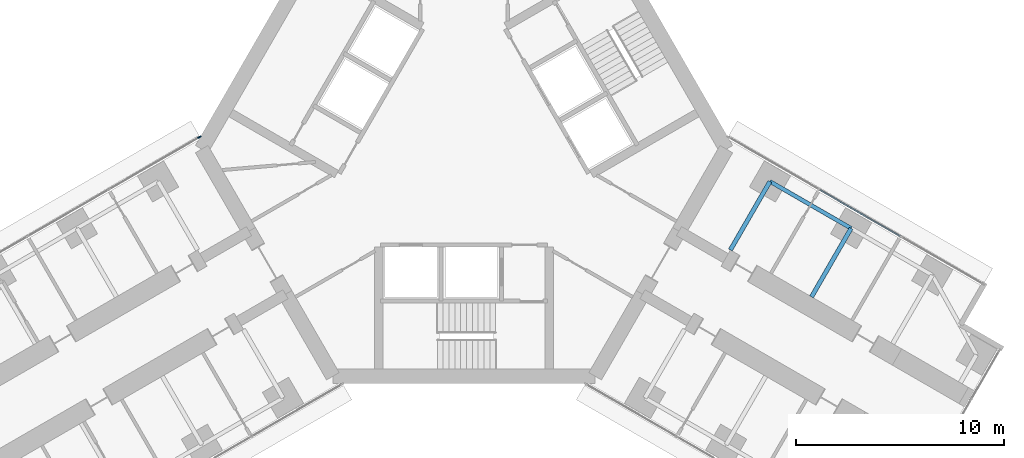
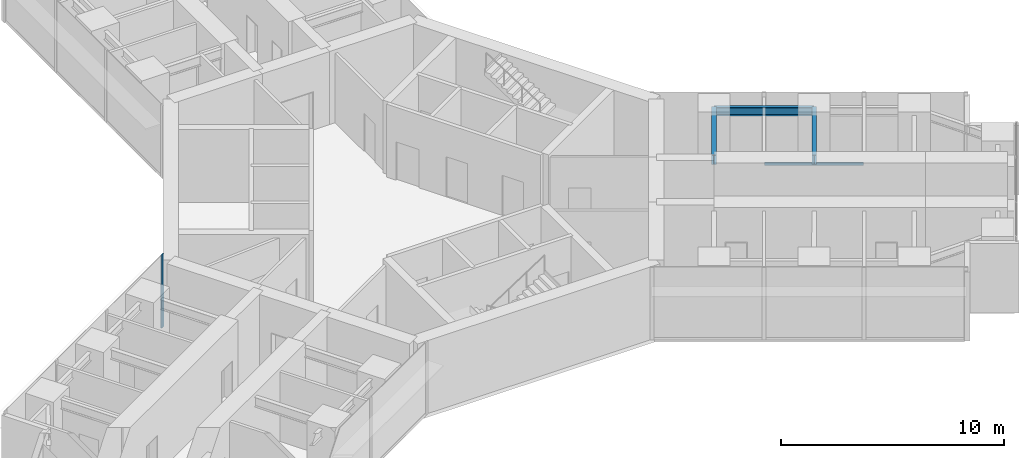
# One storey, part 10 of 24: 3 beams, 2 members, 2 elements without a shape of their own.
"""IFC4 building model written with IfcOpenShell, lengths in metres."""

from ifc_helpers import new_model, si_unit, direction, frame, origin, origin_2d, place, context, subcontext, project, spatial, rectangle, i_section, extrude, material, material_profile, profile_set, type_object, element, aggregate, save


model = new_model("IFC4")

# Units and contexts
model_context = context("Model", 3, precision=1e-05, world=origin(), true_north=direction((0.0, 1.0)))
body_context = subcontext(model_context, "Body", "Model", "MODEL_VIEW")
ifc_project = project(units=[si_unit("LENGTHUNIT", "METRE"), si_unit("AREAUNIT", "SQUARE_METRE"), si_unit("VOLUMEUNIT", "CUBIC_METRE"), si_unit("PLANEANGLEUNIT", "RADIAN"), si_unit("MASSUNIT", "GRAM", prefix="KILO")], contexts=[model_context])

# Site, building, storey
site_placement = place(None, origin())
site = spatial("IfcSite", under=ifc_project, at=site_placement, CompositionType="ELEMENT")
building_placement = place(site_placement, origin())
building = spatial("IfcBuilding", under=site, at=building_placement, Name="Upepo Twin Towers", CompositionType="ELEMENT")
storey_placement = place(building_placement, frame((0.0, 0.0, 68.5)))
storey = spatial("IfcBuildingStorey", under=building, at=storey_placement, Name="L16", CompositionType="ELEMENT", Elevation=68.5)

# Beams
ifc_material_1 = material(Name="Steel S355", Category="steel")
ifc_material_profile_1 = material_profile(ifc_material_1, i_section(OverallWidth=0.1904296875, OverallDepth=0.45703125, WebThickness=0.009033203125, FlangeThickness=0.014404296875, FilletRadius=0.01025390625, at=origin_2d()), Name="UB 457x191x74")
ifc_profile_set_1 = profile_set([ifc_material_profile_1], Name="Steel S355")
beam_type_1 = type_object("IfcBeamType", Name="Beam UB 457x191x74", PredefinedType="BEAM", material=ifc_profile_set_1)
beam_1_placement = place(storey_placement, frame((73.19140625, -19.553955078125, 3.571533203125), z_axis=(0.866017533419, -0.500013631625, 0.0), x_axis=(0.500013631625, 0.866017533419, 0.0)))
element("IfcBeam", 1, at=beam_1_placement, inside=storey, type_object=beam_type_1, Name="T2 edge beam CL 13.5-18.0", PredefinedType="BEAM", context=body_context, shape_type="SweptSolid", body=[
    extrude(i_section(OverallWidth=0.1904296875, OverallDepth=0.45703125, WebThickness=0.009033203125, FlangeThickness=0.014404296875, FilletRadius=0.01025390625, at=origin_2d()), origin(), (0.0, 0.0, 1.0), 4.499755859375),
])
ifc_material_2 = material(Name="Steel S355", Category="steel")
ifc_material_profile_2 = material_profile(ifc_material_2, i_section(OverallWidth=0.209228515625, OverallDepth=0.533203125, WebThickness=0.010009765625, FlangeThickness=0.015625, FilletRadius=0.0126953125, at=origin_2d()), Name="UB 533x210x92")
ifc_profile_set_2 = profile_set([ifc_material_profile_2], Name="Steel S355")
beam_type_2 = type_object("IfcBeamType", Name="Beam UB 533x210x92", PredefinedType="BEAM", material=ifc_profile_set_2)
beam_2_placement = place(storey_placement, frame((73.19140625, -19.553955078125, 3.533447265625), z_axis=(-0.500043160704, -0.866000483506, 0.0), x_axis=(0.866000483506, -0.500043160704, 0.0)))
element("IfcBeam", 2, at=beam_2_placement, inside=storey, type_object=beam_type_2, Name="T2 girder CL at 13.5", PredefinedType="BEAM", context=body_context, shape_type="SweptSolid", body=[
    extrude(i_section(OverallWidth=0.209228515625, OverallDepth=0.533203125, WebThickness=0.010009765625, FlangeThickness=0.015625, FilletRadius=0.0126953125, at=origin_2d()), origin(), (0.0, 0.0, 1.0), 3.800048828125),
])
beam_3_placement = place(storey_placement, frame((77.08837890625, -21.803955078125, 3.533447265625), z_axis=(-0.499994975061, -0.866028304915, 0.0), x_axis=(0.866028304915, -0.499994975061, 0.0)))
element("IfcBeam", 3, at=beam_3_placement, inside=storey, type_object=beam_type_2, Name="T2 girder CL at 18.0", PredefinedType="BEAM", context=body_context, shape_type="SweptSolid", body=[
    extrude(i_section(OverallWidth=0.209228515625, OverallDepth=0.533203125, WebThickness=0.010009765625, FlangeThickness=0.015625, FilletRadius=0.0126953125, at=origin_2d()), origin(), (0.0, 0.0, 1.0), 3.7998046875),
])

# Curtain wall, member
ifc_material_3 = material(Name="Aluminium and fritted glass", Category="aluminium")
curtain_wall_type = type_object("IfcCurtainWallType", Name="Tower curtain wall TW1, fritted glass", PredefinedType="NOTDEFINED", material=ifc_material_3)
curtain_wall_1_placement = place(storey_placement, origin())
curtain_wall_1 = element("IfcCurtainWall", 4, at=curtain_wall_1_placement, inside=storey, type_object=curtain_wall_type, Name="T2 L16 wing B flank R curtain wall", PredefinedType="NOTDEFINED")
ifc_material_4 = material(Name="Aluminium mullion", Category="aluminium")
ifc_material_profile_3 = material_profile(ifc_material_4, rectangle(XDim=0.06494140625, YDim=0.179931640625, at=origin_2d()), Name="MULLION 65x180")
ifc_profile_set_3 = profile_set([ifc_material_profile_3], Name="Aluminium mullion")
member_type_1 = type_object("IfcMemberType", Name="Mullion 65x180 TW1", PredefinedType="MULLION", material=ifc_profile_set_3)
member_1_placement = place(storey_placement, frame((45.79150390625, -17.427490234375, 0.0), z_axis=(0.0, 0.0, 1.0), x_axis=(-0.500000024426, 0.866025389682, 0.0)))
member_1 = element("IfcMember", 5, at=member_1_placement, type_object=member_type_1, Name="T2 L16 wing B flank R curtain wall mullion 4", PredefinedType="MULLION", context=body_context, shape_type="SweptSolid", body=[
    extrude(rectangle(XDim=0.06494140625, YDim=0.179931640625, at=origin_2d()), origin(), (0.0, 0.0, 1.0), 4.0),
])
aggregate(curtain_wall_1, [member_1])

curtain_wall_2_placement = place(storey_placement, origin())
curtain_wall_2 = element("IfcCurtainWall", 6, at=curtain_wall_2_placement, inside=storey, type_object=curtain_wall_type, Name="T2 L16 wing C flank L curtain wall", PredefinedType="NOTDEFINED")
ifc_material_5 = material(Name="Aluminium transom", Category="aluminium")
ifc_material_profile_4 = material_profile(ifc_material_5, rectangle(XDim=0.06494140625, YDim=0.14990234375, at=origin_2d()), Name="TRANSOM 65x150")
ifc_profile_set_4 = profile_set([ifc_material_profile_4], Name="Aluminium transom")
member_type_2 = type_object("IfcMemberType", Name="Transom 65x150 TW1", PredefinedType="USERDEFINED", material=ifc_profile_set_4)
member_2_placement = place(storey_placement, frame((75.593017578125, -19.958984375, 0.074951171875), z_axis=(0.866022410713, -0.500005184116, 0.0), x_axis=(0.500005184116, 0.866022410713, 0.0)))
member_2 = element("IfcMember", 7, at=member_2_placement, type_object=member_type_2, Name="T2 L16 wing C flank L curtain wall transom 2", ObjectType="TRANSOM", PredefinedType="USERDEFINED", context=body_context, shape_type="SweptSolid", body=[
    extrude(rectangle(XDim=0.06494140625, YDim=0.14990234375, at=origin_2d()), origin(), (0.0, 0.0, 1.0), 4.43505859375),
])
aggregate(curtain_wall_2, [member_2])

save(model, "model.ifc")
